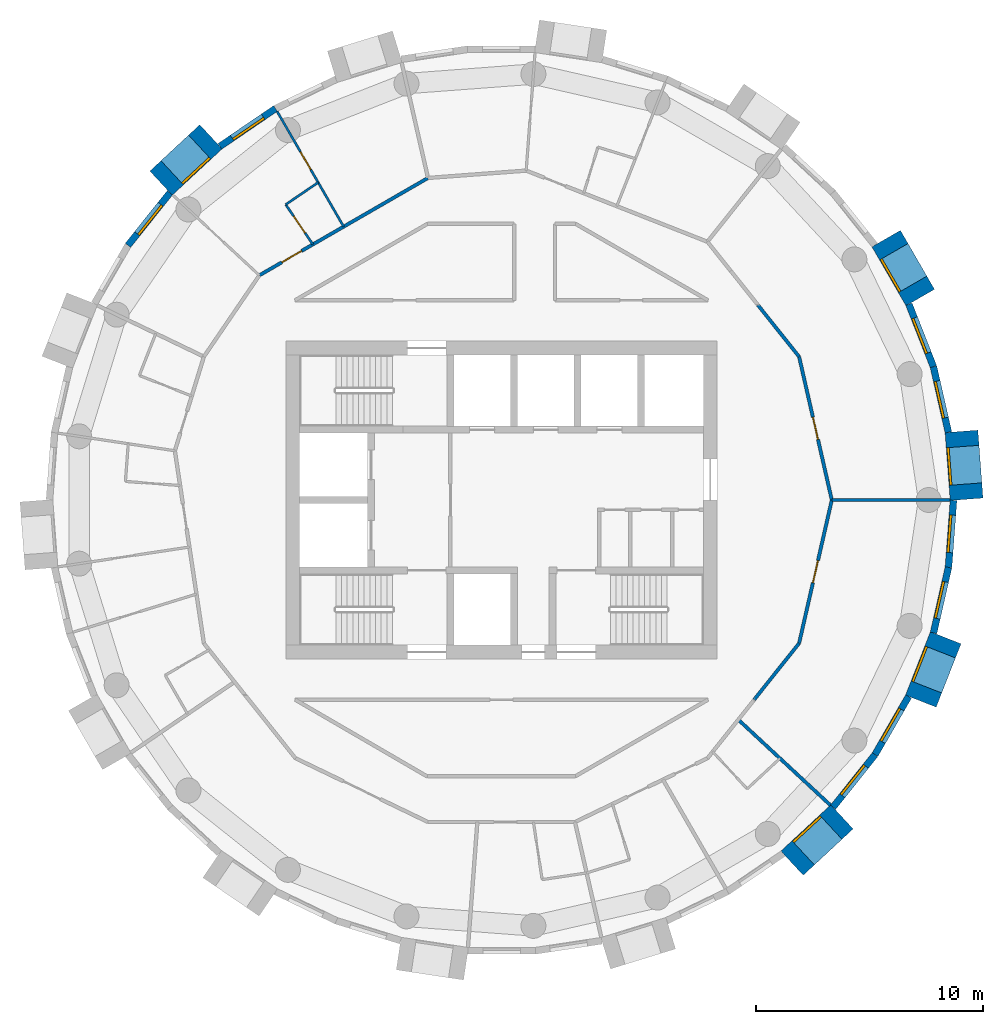
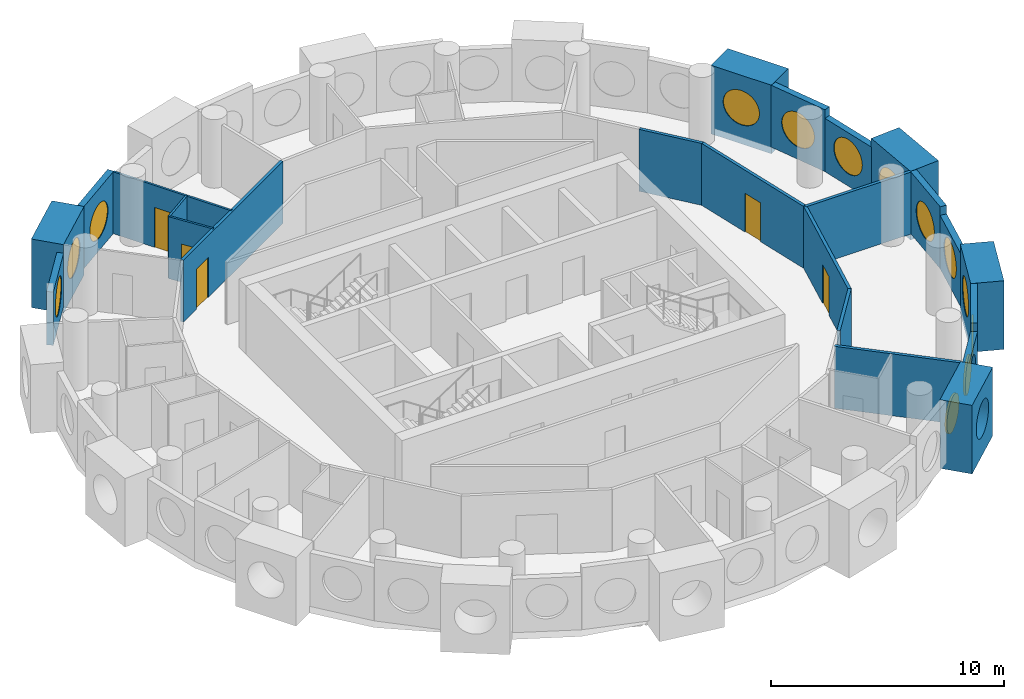
# One storey, part 8 of 11: 24 walls, 13 windows, 5 doors, 18 openings.
"""IFC4 building model written with IfcOpenShell, lengths in metres."""

import ifcopenshell
import ifcopenshell.guid

model = None  # the IFC model being written
_history = None  # IfcOwnerHistory: only IFC2X3 demands one
_inside = {}  # id of a spatial element -> (the spatial element, [elements in it])
_under = {}  # id of a project, library or spatial element -> (it, [spatial elements below it])
_declared = {}  # id of a project -> (the project, [libraries it declares])
_typed = {}  # id of a type object -> (the type object, [elements of that type])
_made_of = {}  # id of a material, layer set ... -> (it, [elements and type objects made of it])


def new_model(schema):
    """Start an empty IFC model of exactly this schema.

    Asked for "IFC4X3", IfcOpenShell would pick the latest addendum, in which some entities
    have other attributes; the version numbers below select the first issue.
    IFC2X3 requires an IfcOwnerHistory on every rooted entity: one is made here for all.
    """
    global model, _history
    if schema == "IFC4X3":
        model = ifcopenshell.file(schema_version=(4, 3, 0, 0))
    else:
        model = ifcopenshell.file(schema=schema)
    _inside.clear()
    _under.clear()
    _declared.clear()
    _typed.clear()
    _made_of.clear()
    _history = None
    if model.schema == "IFC2X3":
        org = make("IfcOrganization", Name="unknown")
        user = make(
            "IfcPersonAndOrganization",
            ThePerson=make("IfcPerson", FamilyName="unknown"),
            TheOrganization=org,
        )
        app = make(
            "IfcApplication",
            ApplicationDeveloper=org,
            Version="unknown",
            ApplicationFullName="unknown",
            ApplicationIdentifier="unknown",
        )
        _history = make(
            "IfcOwnerHistory",
            OwningUser=user,
            OwningApplication=app,
            ChangeAction="ADDED",
            CreationDate=0,
        )
    return model


def make(cls, **values):
    """One entity of the class cls with the attributes given. An attribute that is None is left unset."""
    return model.create_entity(
        cls, **{name: value for name, value in values.items() if value is not None}
    )


def rooted(cls, **values):
    """An entity with a GlobalId (a new one), such as an element, a storey or a relation."""
    return make(cls, GlobalId=ifcopenshell.guid.new(), OwnerHistory=_history, **values)


def si_unit(unit_type, name, prefix=None):
    """IfcSIUnit, for example si_unit("LENGTHUNIT", "METRE", prefix="MILLI")."""
    return make("IfcSIUnit", UnitType=unit_type, Prefix=prefix, Name=name)


def assignment(units):
    """IfcUnitAssignment: the units of a project."""
    return None if units is None else make("IfcUnitAssignment", Units=units)


def point(xyz):
    """IfcCartesianPoint."""
    return None if xyz is None else make("IfcCartesianPoint", Coordinates=xyz)


def direction(xyz):
    """IfcDirection."""
    return None if xyz is None else make("IfcDirection", DirectionRatios=xyz)


def frame(location, z_axis=None, x_axis=None):
    """IfcAxis2Placement3D, a coordinate frame: its origin and axes. An axis left out is left unset."""
    return make(
        "IfcAxis2Placement3D",
        Location=point(location),
        Axis=direction(z_axis),
        RefDirection=direction(x_axis),
    )


def frame_2d(location, x_axis=None):
    """IfcAxis2Placement2D, a coordinate frame in the plane: its origin and x axis."""
    return make(
        "IfcAxis2Placement2D", Location=point(location), RefDirection=direction(x_axis)
    )


def origin():
    """The frame at (0, 0, 0) with its axes left unset."""
    return frame((0.0, 0.0, 0.0))


def origin_2d():
    """The frame at (0, 0) in the plane with its x axis left unset."""
    return frame_2d((0.0, 0.0))


def place(relative_to, where):
    """IfcLocalPlacement: puts the frame where relative to a parent placement (None: the world)."""
    return make(
        "IfcLocalPlacement", PlacementRelTo=relative_to, RelativePlacement=where
    )


def context(
    kind, dimensions, precision=None, world=None, true_north=None, identifier=None
):
    """IfcGeometricRepresentationContext, for example the 3D "Model" context."""
    return make(
        "IfcGeometricRepresentationContext",
        ContextIdentifier=identifier,
        ContextType=kind,
        CoordinateSpaceDimension=dimensions,
        Precision=precision,
        WorldCoordinateSystem=world,
        TrueNorth=true_north,
    )


def subcontext(parent, identifier, kind, view, scale=None):
    """IfcGeometricRepresentationSubContext, for example "Body" below "Model"."""
    return make(
        "IfcGeometricRepresentationSubContext",
        ContextIdentifier=identifier,
        ContextType=kind,
        ParentContext=parent,
        TargetScale=scale,
        TargetView=view,
    )


def project(units=None, contexts=None):
    """IfcProject with its units and contexts."""
    return rooted(
        "IfcProject",
        Name="project",
        RepresentationContexts=contexts,
        UnitsInContext=assignment(units),
    )


def spatial(cls, under=None, at=None, **own):
    """A site, building, storey or space (cls), placed at a placement, below another one or the project."""
    s = rooted(cls, ObjectPlacement=at, **own)
    if under is not None:
        _under.setdefault(under.id(), (under, []))[1].append(s)
    return s


def profile(cls, at=None, kind="AREA", **sizes):
    """A parametric profile (cls). Its sizes go by their IFC names, for example OverallWidth=200.0."""
    return make(cls, ProfileType=kind, Position=at, **sizes)


def rectangle(**sizes):
    """IfcRectangleProfileDef."""
    return profile("IfcRectangleProfileDef", **sizes)


def circle(**sizes):
    """IfcCircleProfileDef."""
    return profile("IfcCircleProfileDef", **sizes)


def extrude(swept, where, along, depth):
    """IfcExtrudedAreaSolid: the profile swept, set in the frame where, extruded along a direction by depth."""
    return make(
        "IfcExtrudedAreaSolid",
        SweptArea=swept,
        Position=where,
        ExtrudedDirection=direction(along),
        Depth=depth,
    )


def shape(context_of_items, identifier, shape_type, items):
    """IfcShapeRepresentation: the items that make up one representation, for example the "Body"."""
    return make(
        "IfcShapeRepresentation",
        ContextOfItems=context_of_items,
        RepresentationIdentifier=identifier,
        RepresentationType=shape_type,
        Items=items,
    )


def material(Name=None, Category=None):
    """IfcMaterial."""
    return make("IfcMaterial", Name=Name, Category=Category)


def layer(
    of_material, thickness, ventilated=None, Name=None, Category=None, Priority=None
):
    """IfcMaterialLayer: one layer of a wall or slab, of a material (None: an air gap)."""
    return make(
        "IfcMaterialLayer",
        Material=of_material,
        LayerThickness=thickness,
        IsVentilated=ventilated,
        Name=Name,
        Category=Category,
        Priority=Priority,
    )


def layer_set(layers, Name=None):
    """IfcMaterialLayerSet."""
    return make("IfcMaterialLayerSet", MaterialLayers=layers, LayerSetName=Name)


def made_of(thing, what):
    """Note that an element or type object is made of a material, layer set ...; save() writes the relation."""
    if what is not None:
        _made_of.setdefault(what.id(), (what, []))[1].append(thing)
    return thing


def type_object(cls, material=None, **own):
    """A type object (cls), such as IfcWallType, which elements share."""
    return made_of(rooted(cls, **own), material)


def element(
    cls,
    number,
    at=None,
    inside=None,
    cuts=None,
    type_object=None,
    material=None,
    context=None,
    identifier="Body",
    shape_type=None,
    held_by="IfcProductDefinitionShape",
    body=None,
    shapes=None,
    **own,
):
    """One element of the class cls, such as IfcWall. Its Tag is "e" and its number.

    at: its placement. inside: the storey or other place that contains it. cuts: it is an
    opening in that element (IfcRelVoidsElement). A single representation is given by context,
    identifier, shape_type and body (its items); several are given by shapes. held_by: the class
    of the entity that holds the representations. save() writes the other relations.
    """
    e = rooted(cls, Tag="e%d" % number, ObjectPlacement=at, **own)
    if body is not None:
        shapes = [shape(context, identifier, shape_type, body)]
    if shapes is not None:
        e.Representation = make(held_by, Representations=shapes)
    if inside is not None:
        _inside.setdefault(inside.id(), (inside, []))[1].append(e)
    if cuts is not None:
        rooted(
            "IfcRelVoidsElement", RelatingBuildingElement=cuts, RelatedOpeningElement=e
        )
    if type_object is not None:
        _typed.setdefault(type_object.id(), (type_object, []))[1].append(e)
    return made_of(e, material)


def fill(opening, filler):
    """IfcRelFillsElement: the door or window that sits in an opening."""
    return rooted(
        "IfcRelFillsElement",
        RelatingOpeningElement=opening,
        RelatedBuildingElement=filler,
    )


def aggregate(whole, parts):
    """IfcRelAggregates: a whole, such as a stair, and the parts it consists of."""
    return rooted("IfcRelAggregates", RelatingObject=whole, RelatedObjects=parts)


def save(model, path):
    """Write the relations noted so far, then the file.

    IfcRelAggregates (storeys below a building ...), IfcRelContainedInSpatialStructure (elements
    in a storey), IfcRelDefinesByType, IfcRelAssociatesMaterial and IfcRelDeclares: one each for
    every whole, place, type object, material and project.
    """
    for whole, parts in _under.values():
        aggregate(whole, parts)
    for where, things in _inside.values():
        rooted(
            "IfcRelContainedInSpatialStructure",
            RelatedElements=things,
            RelatingStructure=where,
        )
    for kind, things in _typed.values():
        rooted("IfcRelDefinesByType", RelatedObjects=things, RelatingType=kind)
    for what, things in _made_of.values():
        rooted("IfcRelAssociatesMaterial", RelatedObjects=things, RelatingMaterial=what)
    for by, libraries in _declared.values():
        rooted("IfcRelDeclares", RelatingContext=by, RelatedDefinitions=libraries)
    model.write(path)


model = new_model("IFC4")

# Units and contexts
model_context = context("Model", 3, precision=1e-05, world=origin(), true_north=direction((0.0, 1.0)))
body_context = subcontext(model_context, "Body", "Model", "MODEL_VIEW")
ifc_project = project(units=[si_unit("LENGTHUNIT", "METRE"), si_unit("AREAUNIT", "SQUARE_METRE"), si_unit("VOLUMEUNIT", "CUBIC_METRE"), si_unit("PLANEANGLEUNIT", "RADIAN"), si_unit("MASSUNIT", "GRAM", prefix="KILO")], contexts=[model_context])

# Site, building, storey
site_placement = place(None, origin())
site = spatial("IfcSite", under=ifc_project, at=site_placement, CompositionType="ELEMENT")
building_placement = place(site_placement, origin())
building = spatial("IfcBuilding", under=site, at=building_placement, Name="Tracery Tower", CompositionType="ELEMENT")
storey_placement = place(building_placement, frame((0.0, 0.0, 267.0)))
storey = spatial("IfcBuildingStorey", under=building, at=storey_placement, Name="L69", CompositionType="ELEMENT", Elevation=267.0)

# Wall, opening, window
ifc_material_1 = material(Name="Precast concrete C50/60", Category="concrete")
ifc_layer_1 = layer(ifc_material_1, 1.449951171875)
ifc_layer_set_1 = layer_set([ifc_layer_1], Name="Deep-set bay unit 3000 x 3600, slab edge 350")
wall_type_1 = type_object("IfcWallType", Name="Deep-set bay unit 3000 x 3600, slab edge 350", PredefinedType="ELEMENTEDWALL", material=ifc_layer_set_1)
wall_1_placement = place(storey_placement, frame((20.49609375, 0.03173828125, -0.35009765625), z_axis=(0.0, 0.0, 1.0), x_axis=(-0.074785902127, 0.997199613339, 0.0)))
wall_1 = element("IfcWall", 1, at=wall_1_placement, inside=storey, type_object=wall_type_1, Name="Deep-set bay unit 1 at L69", PredefinedType="ELEMENTEDWALL", context=body_context, shape_type="SweptSolid", body=[
    extrude(rectangle(XDim=3.0, YDim=1.449951171875, at=frame_2d((1.5, 0.0))), origin(), (0.0, 0.0, 1.0), 3.60009765625),
])
opening_1_placement = place(wall_1_placement, frame((1.5, 0.0, 1.89990234375)))
opening_1 = element("IfcOpeningElement", 2, at=opening_1_placement, cuts=wall_1, Name="Opening WN1", PredefinedType="OPENING", context=body_context, shape_type="SweptSolid", body=[
    extrude(circle(Radius=0.9000244140625, at=origin_2d()), frame((0.0, 0.73486328125, 0.0), z_axis=(0.0, -1.0, 0.0), x_axis=(1.0, 0.0, 0.0)), (0.0, 0.0, 1.0), 1.469970703125),
])
ifc_material_2 = material(Name="Aluminium frame with tinted double glazing", Category="aluminium")
window_type = type_object("IfcWindowType", Name="Round window 1800", PartitioningType="SINGLE_PANEL", PredefinedType="WINDOW", material=ifc_material_2)
window_1_placement = place(opening_1_placement, origin())
window_1 = element("IfcWindow", 3, at=window_1_placement, inside=storey, type_object=window_type, Name="Round window 1 at L69", OverallHeight=1.800048828125, OverallWidth=1.800048828125, PartitioningType="SINGLE_PANEL", PredefinedType="WINDOW", context=body_context, shape_type="SweptSolid", body=[
    extrude(circle(Radius=0.9000244140625, at=origin_2d()), frame((0.0, 0.69482421875, 0.0), z_axis=(0.0, -1.0, 0.0), x_axis=(1.0, 0.0, 0.0)), (0.0, 0.0, 1.0), 0.10009765625),
])
fill(opening_1, window_1)

wall_2_placement = place(storey_placement, frame((18.452392578125, 8.92138671875, -0.35009765625), z_axis=(0.0, 0.0, 1.0), x_axis=(-0.499990139034, 0.866031096941, 0.0)))
wall_2 = element("IfcWall", 4, at=wall_2_placement, inside=storey, type_object=wall_type_1, Name="Deep-set bay unit 4 at L69", PredefinedType="ELEMENTEDWALL", context=body_context, shape_type="SweptSolid", body=[
    extrude(rectangle(XDim=3.0, YDim=1.449951171875, at=frame_2d((1.5, 0.0))), origin(), (0.0, 0.0, 1.0), 3.60009765625),
])
opening_2_placement = place(wall_2_placement, frame((1.5, 0.0, 1.89990234375)))
opening_2 = element("IfcOpeningElement", 5, at=opening_2_placement, cuts=wall_2, Name="Opening WN1", PredefinedType="OPENING", context=body_context, shape_type="SweptSolid", body=[
    extrude(circle(Radius=0.9000244140625, at=origin_2d()), frame((0.0, 0.73486328125, 0.0), z_axis=(0.0, -1.0, 0.0), x_axis=(1.0, 0.0, 0.0)), (0.0, 0.0, 1.0), 1.469970703125),
])
window_2_placement = place(opening_2_placement, origin())
window_2 = element("IfcWindow", 6, at=window_2_placement, inside=storey, type_object=window_type, Name="Round window 4 at L69", OverallHeight=1.800048828125, OverallWidth=1.800048828125, PartitioningType="SINGLE_PANEL", PredefinedType="WINDOW", context=body_context, shape_type="SweptSolid", body=[
    extrude(circle(Radius=0.9000244140625, at=origin_2d()), frame((0.0, 0.69482421875, 0.0), z_axis=(0.0, -1.0, 0.0), x_axis=(1.0, 0.0, 0.0)), (0.0, 0.0, 1.0), 0.10009765625),
])
fill(opening_2, window_2)

wall_3_placement = place(storey_placement, frame((-12.803955078125, 16.004638671875, -0.35009765625), z_axis=(0.0, 0.0, 1.0), x_axis=(-0.733022439167, -0.680204457261, 0.0)))
wall_3 = element("IfcWall", 7, at=wall_3_placement, inside=storey, type_object=wall_type_1, Name="Deep-set bay unit 16 at L69", PredefinedType="ELEMENTEDWALL", context=body_context, shape_type="SweptSolid", body=[
    extrude(rectangle(XDim=2.999755859375, YDim=1.449951171875, at=frame_2d((1.5, 0.0))), origin(), (0.0, 0.0, 1.0), 3.60009765625),
])
opening_3_placement = place(wall_3_placement, frame((1.5, 0.0, 1.89990234375)))
opening_3 = element("IfcOpeningElement", 8, at=opening_3_placement, cuts=wall_3, Name="Opening WN1", PredefinedType="OPENING", context=body_context, shape_type="SweptSolid", body=[
    extrude(circle(Radius=0.9000244140625, at=origin_2d()), frame((0.0, 0.73486328125, 0.0), z_axis=(0.0, -1.0, 0.0), x_axis=(1.0, 0.0, 0.0)), (0.0, 0.0, 1.0), 1.469970703125),
])
window_3_placement = place(opening_3_placement, origin())
window_3 = element("IfcWindow", 9, at=window_3_placement, inside=storey, type_object=window_type, Name="Round window 16 at L69", OverallHeight=1.800048828125, OverallWidth=1.800048828125, PartitioningType="SINGLE_PANEL", PredefinedType="WINDOW", context=body_context, shape_type="SweptSolid", body=[
    extrude(circle(Radius=0.9000244140625, at=origin_2d()), frame((0.0, 0.69482421875, 0.0), z_axis=(0.0, -1.0, 0.0), x_axis=(1.0, 0.0, 0.0)), (0.0, 0.0, 1.0), 0.10009765625),
])
fill(opening_3, window_3)

wall_4_placement = place(storey_placement, frame((12.803955078125, -16.004638671875, -0.35009765625), z_axis=(0.0, 0.0, 1.0), x_axis=(0.733022439167, 0.680204457261, 0.0)))
wall_4 = element("IfcWall", 10, at=wall_4_placement, inside=storey, type_object=wall_type_1, Name="Deep-set bay unit 37 at L69", PredefinedType="ELEMENTEDWALL", context=body_context, shape_type="SweptSolid", body=[
    extrude(rectangle(XDim=2.999755859375, YDim=1.449951171875, at=frame_2d((1.5, 0.0))), origin(), (0.0, 0.0, 1.0), 3.60009765625),
])
opening_4_placement = place(wall_4_placement, frame((1.5, 0.0, 1.89990234375)))
opening_4 = element("IfcOpeningElement", 11, at=opening_4_placement, cuts=wall_4, Name="Opening WN1", PredefinedType="OPENING", context=body_context, shape_type="SweptSolid", body=[
    extrude(circle(Radius=0.9000244140625, at=origin_2d()), frame((0.0, 0.73486328125, 0.0), z_axis=(0.0, -1.0, 0.0), x_axis=(1.0, 0.0, 0.0)), (0.0, 0.0, 1.0), 1.469970703125),
])
window_4_placement = place(opening_4_placement, origin())
window_4 = element("IfcWindow", 12, at=window_4_placement, inside=storey, type_object=window_type, Name="Round window 37 at L69", OverallHeight=1.800048828125, OverallWidth=1.800048828125, PartitioningType="SINGLE_PANEL", PredefinedType="WINDOW", context=body_context, shape_type="SweptSolid", body=[
    extrude(circle(Radius=0.9000244140625, at=origin_2d()), frame((0.0, 0.69482421875, 0.0), z_axis=(0.0, -1.0, 0.0), x_axis=(1.0, 0.0, 0.0)), (0.0, 0.0, 1.0), 0.10009765625),
])
fill(opening_4, window_4)

wall_5_placement = place(storey_placement, frame((18.47998046875, -8.8642578125, -0.35009765625), z_axis=(0.0, 0.0, 1.0), x_axis=(0.36537792632, 0.93085926485, 0.0)))
wall_5 = element("IfcWall", 13, at=wall_5_placement, inside=storey, type_object=wall_type_1, Name="Deep-set bay unit 40 at L69", PredefinedType="ELEMENTEDWALL", context=body_context, shape_type="SweptSolid", body=[
    extrude(rectangle(XDim=3.000244140625, YDim=1.449951171875, at=frame_2d((1.5, 0.0))), origin(), (0.0, 0.0, 1.0), 3.60009765625),
])
opening_5_placement = place(wall_5_placement, frame((1.5, 0.0, 1.89990234375)))
opening_5 = element("IfcOpeningElement", 14, at=opening_5_placement, cuts=wall_5, Name="Opening WN1", PredefinedType="OPENING", context=body_context, shape_type="SweptSolid", body=[
    extrude(circle(Radius=0.9000244140625, at=origin_2d()), frame((0.0, 0.73486328125, 0.0), z_axis=(0.0, -1.0, 0.0), x_axis=(1.0, 0.0, 0.0)), (0.0, 0.0, 1.0), 1.469970703125),
])
window_5_placement = place(opening_5_placement, origin())
window_5 = element("IfcWindow", 15, at=window_5_placement, inside=storey, type_object=window_type, Name="Round window 40 at L69", OverallHeight=1.800048828125, OverallWidth=1.800048828125, PartitioningType="SINGLE_PANEL", PredefinedType="WINDOW", context=body_context, shape_type="SweptSolid", body=[
    extrude(circle(Radius=0.9000244140625, at=origin_2d()), frame((0.0, 0.69482421875, 0.0), z_axis=(0.0, -1.0, 0.0), x_axis=(1.0, 0.0, 0.0)), (0.0, 0.0, 1.0), 0.10009765625),
])
fill(opening_5, window_5)

ifc_material_3 = material(Name="Precast concrete C50/60", Category="concrete")
ifc_layer_2 = layer(ifc_material_3, 0.300048828125)
ifc_layer_set_2 = layer_set([ifc_layer_2], Name="Facade panel 3000 x 2800")
wall_type_2 = type_object("IfcWallType", Name="Facade panel 3000 x 2800", PredefinedType="SOLIDWALL", material=ifc_layer_set_2)
wall_6_placement = place(storey_placement, frame((19.69580078125, 2.984130859375, 0.0), z_axis=(0.0, 0.0, 1.0), x_axis=(-0.222529389789, 0.974925982155, 0.0)))
wall_6 = element("IfcWall", 16, at=wall_6_placement, inside=storey, type_object=wall_type_2, Name="Facade panel 2 at L69", PredefinedType="SOLIDWALL", context=body_context, shape_type="SweptSolid", body=[
    extrude(rectangle(XDim=2.962158203125, YDim=0.300048828125, at=frame_2d((1.48095703125, 0.0))), origin(), (0.0, 0.0, 1.0), 2.800048828125),
])
opening_6_placement = place(wall_6_placement, frame((1.48095703125, 0.0, 1.5498046875)))
opening_6 = element("IfcOpeningElement", 17, at=opening_6_placement, cuts=wall_6, Name="Opening WN1", PredefinedType="OPENING", context=body_context, shape_type="SweptSolid", body=[
    extrude(circle(Radius=0.9000244140625, at=origin_2d()), frame((0.0, 0.159912109375, 0.0), z_axis=(0.0, -1.0, 0.0), x_axis=(1.0, 0.0, 0.0)), (0.0, 0.0, 1.0), 0.320068359375),
])
window_6_placement = place(opening_6_placement, origin())
window_6 = element("IfcWindow", 18, at=window_6_placement, inside=storey, type_object=window_type, Name="Round window 2 at L69", OverallHeight=1.800048828125, OverallWidth=1.800048828125, PartitioningType="SINGLE_PANEL", PredefinedType="WINDOW", context=body_context, shape_type="SweptSolid", body=[
    extrude(circle(Radius=0.9000244140625, at=origin_2d()), frame((0.0, 0.1201171875, 0.0), z_axis=(0.0, -1.0, 0.0), x_axis=(1.0, 0.0, 0.0)), (0.0, 0.0, 1.0), 0.10009765625),
])
fill(opening_6, window_6)

wall_7_placement = place(storey_placement, frame((-14.61328125, 13.538330078125, 0.0), z_axis=(0.0, 0.0, 1.0), x_axis=(-0.623498236992, -0.781824755599, 0.0)))
wall_7 = element("IfcWall", 19, at=wall_7_placement, inside=storey, type_object=wall_type_2, Name="Facade panel 17 at L69", PredefinedType="SOLIDWALL", context=body_context, shape_type="SweptSolid", body=[
    extrude(rectangle(XDim=2.962158203125, YDim=0.300048828125, at=frame_2d((1.48095703125, 0.0))), origin(), (0.0, 0.0, 1.0), 2.800048828125),
])
opening_7_placement = place(wall_7_placement, frame((1.48095703125, 0.0, 1.5498046875)))
opening_7 = element("IfcOpeningElement", 20, at=opening_7_placement, cuts=wall_7, Name="Opening WN1", PredefinedType="OPENING", context=body_context, shape_type="SweptSolid", body=[
    extrude(circle(Radius=0.9000244140625, at=origin_2d()), frame((0.0, 0.159912109375, 0.0), z_axis=(0.0, -1.0, 0.0), x_axis=(1.0, 0.0, 0.0)), (0.0, 0.0, 1.0), 0.320068359375),
])
window_7_placement = place(opening_7_placement, origin())
window_7 = element("IfcWindow", 21, at=window_7_placement, inside=storey, type_object=window_type, Name="Round window 17 at L69", OverallHeight=1.800048828125, OverallWidth=1.800048828125, PartitioningType="SINGLE_PANEL", PredefinedType="WINDOW", context=body_context, shape_type="SweptSolid", body=[
    extrude(circle(Radius=0.9000244140625, at=origin_2d()), frame((0.0, 0.1201171875, 0.0), z_axis=(0.0, -1.0, 0.0), x_axis=(1.0, 0.0, 0.0)), (0.0, 0.0, 1.0), 0.10009765625),
])
fill(opening_7, window_7)

wall_8_placement = place(storey_placement, frame((14.61328125, -13.538330078125, 0.0), z_axis=(0.0, 0.0, 1.0), x_axis=(0.623498236992, 0.781824755599, 0.0)))
wall_8 = element("IfcWall", 22, at=wall_8_placement, inside=storey, type_object=wall_type_2, Name="Facade panel 38 at L69", PredefinedType="SOLIDWALL", context=body_context, shape_type="SweptSolid", body=[
    extrude(rectangle(XDim=2.962158203125, YDim=0.300048828125, at=frame_2d((1.48095703125, 0.0))), origin(), (0.0, 0.0, 1.0), 2.800048828125),
])
opening_8_placement = place(wall_8_placement, frame((1.48095703125, 0.0, 1.5498046875)))
opening_8 = element("IfcOpeningElement", 23, at=opening_8_placement, cuts=wall_8, Name="Opening WN1", PredefinedType="OPENING", context=body_context, shape_type="SweptSolid", body=[
    extrude(circle(Radius=0.9000244140625, at=origin_2d()), frame((0.0, 0.159912109375, 0.0), z_axis=(0.0, -1.0, 0.0), x_axis=(1.0, 0.0, 0.0)), (0.0, 0.0, 1.0), 0.320068359375),
])
window_8_placement = place(opening_8_placement, origin())
window_8 = element("IfcWindow", 24, at=window_8_placement, inside=storey, type_object=window_type, Name="Round window 38 at L69", OverallHeight=1.800048828125, OverallWidth=1.800048828125, PartitioningType="SINGLE_PANEL", PredefinedType="WINDOW", context=body_context, shape_type="SweptSolid", body=[
    extrude(circle(Radius=0.9000244140625, at=origin_2d()), frame((0.0, 0.1201171875, 0.0), z_axis=(0.0, -1.0, 0.0), x_axis=(1.0, 0.0, 0.0)), (0.0, 0.0, 1.0), 0.10009765625),
])
fill(opening_8, window_8)

wall_9_placement = place(storey_placement, frame((19.0400390625, -5.857177734375, 0.0), z_axis=(0.0, 0.0, 1.0), x_axis=(0.222529389789, 0.974925982155, 0.0)))
wall_9 = element("IfcWall", 25, at=wall_9_placement, inside=storey, type_object=wall_type_2, Name="Facade panel 41 at L69", PredefinedType="SOLIDWALL", context=body_context, shape_type="SweptSolid", body=[
    extrude(rectangle(XDim=2.962158203125, YDim=0.300048828125, at=frame_2d((1.48095703125, 0.0))), origin(), (0.0, 0.0, 1.0), 2.800048828125),
])
opening_9_placement = place(wall_9_placement, frame((1.48095703125, 0.0, 1.5498046875)))
opening_9 = element("IfcOpeningElement", 26, at=opening_9_placement, cuts=wall_9, Name="Opening WN1", PredefinedType="OPENING", context=body_context, shape_type="SweptSolid", body=[
    extrude(circle(Radius=0.9000244140625, at=origin_2d()), frame((0.0, 0.159912109375, 0.0), z_axis=(0.0, -1.0, 0.0), x_axis=(1.0, 0.0, 0.0)), (0.0, 0.0, 1.0), 0.320068359375),
])
window_9_placement = place(opening_9_placement, origin())
window_9 = element("IfcWindow", 27, at=window_9_placement, inside=storey, type_object=window_type, Name="Round window 41 at L69", OverallHeight=1.800048828125, OverallWidth=1.800048828125, PartitioningType="SINGLE_PANEL", PredefinedType="WINDOW", context=body_context, shape_type="SweptSolid", body=[
    extrude(circle(Radius=0.9000244140625, at=origin_2d()), frame((0.0, 0.1201171875, 0.0), z_axis=(0.0, -1.0, 0.0), x_axis=(1.0, 0.0, 0.0)), (0.0, 0.0, 1.0), 0.10009765625),
])
fill(opening_9, window_9)

ifc_material_4 = material(Name="Precast concrete C50/60", Category="concrete")
ifc_layer_3 = layer(ifc_material_4, 0.300048828125)
ifc_layer_set_3 = layer_set([ifc_layer_3], Name="Facade panel 3000 x 3250")
wall_type_3 = type_object("IfcWallType", Name="Facade panel 3000 x 3250", PredefinedType="SOLIDWALL", material=ifc_layer_set_3)
wall_10_placement = place(storey_placement, frame((19.03662109375, 5.8720703125, 0.0), z_axis=(0.0, 0.0, 1.0), x_axis=(-0.36530043032, 0.930889679612, 0.0)))
wall_10 = element("IfcWall", 28, at=wall_10_placement, inside=storey, type_object=wall_type_3, Name="Facade panel 3 at L69", PredefinedType="SOLIDWALL", context=body_context, shape_type="SweptSolid", body=[
    extrude(rectangle(XDim=2.9619140625, YDim=0.300048828125, at=frame_2d((1.48095703125, 0.0))), origin(), (0.0, 0.0, 1.0), 3.25),
])
opening_10_placement = place(wall_10_placement, frame((1.48095703125, 0.0, 1.5498046875)))
opening_10 = element("IfcOpeningElement", 29, at=opening_10_placement, cuts=wall_10, Name="Opening WN1", PredefinedType="OPENING", context=body_context, shape_type="SweptSolid", body=[
    extrude(circle(Radius=0.9000244140625, at=origin_2d()), frame((0.0, 0.159912109375, 0.0), z_axis=(0.0, -1.0, 0.0), x_axis=(1.0, 0.0, 0.0)), (0.0, 0.0, 1.0), 0.320068359375),
])
window_10_placement = place(opening_10_placement, origin())
window_10 = element("IfcWindow", 30, at=window_10_placement, inside=storey, type_object=window_type, Name="Round window 3 at L69", OverallHeight=1.800048828125, OverallWidth=1.800048828125, PartitioningType="SINGLE_PANEL", PredefinedType="WINDOW", context=body_context, shape_type="SweptSolid", body=[
    extrude(circle(Radius=0.9000244140625, at=origin_2d()), frame((0.0, 0.1201171875, 0.0), z_axis=(0.0, -1.0, 0.0), x_axis=(1.0, 0.0, 0.0)), (0.0, 0.0, 1.0), 0.10009765625),
])
fill(opening_10, window_10)

wall_11_placement = place(storey_placement, frame((-9.9609375, 17.252685546875, 0.0), z_axis=(0.0, 0.0, 1.0), x_axis=(-0.826236061068, -0.563324037646, 0.0)))
wall_11 = element("IfcWall", 31, at=wall_11_placement, inside=storey, type_object=wall_type_3, Name="Facade panel 15 at L69", PredefinedType="SOLIDWALL", context=body_context, shape_type="SweptSolid", body=[
    extrude(rectangle(XDim=2.962158203125, YDim=0.300048828125, at=frame_2d((1.48095703125, 0.0))), origin(), (0.0, 0.0, 1.0), 3.25),
])
opening_11_placement = place(wall_11_placement, frame((1.48095703125, 0.0, 1.5498046875)))
opening_11 = element("IfcOpeningElement", 32, at=opening_11_placement, cuts=wall_11, Name="Opening WN1", PredefinedType="OPENING", context=body_context, shape_type="SweptSolid", body=[
    extrude(circle(Radius=0.9000244140625, at=origin_2d()), frame((0.0, 0.159912109375, 0.0), z_axis=(0.0, -1.0, 0.0), x_axis=(1.0, 0.0, 0.0)), (0.0, 0.0, 1.0), 0.320068359375),
])
window_11_placement = place(opening_11_placement, origin())
window_11 = element("IfcWindow", 33, at=window_11_placement, inside=storey, type_object=window_type, Name="Round window 15 at L69", OverallHeight=1.800048828125, OverallWidth=1.800048828125, PartitioningType="SINGLE_PANEL", PredefinedType="WINDOW", context=body_context, shape_type="SweptSolid", body=[
    extrude(circle(Radius=0.9000244140625, at=origin_2d()), frame((0.0, 0.1201171875, 0.0), z_axis=(0.0, -1.0, 0.0), x_axis=(1.0, 0.0, 0.0)), (0.0, 0.0, 1.0), 0.10009765625),
])
fill(opening_11, window_11)

wall_12_placement = place(storey_placement, frame((16.460205078125, -11.222412109375, 0.0), z_axis=(0.0, 0.0, 1.0), x_axis=(0.499950756475, 0.86605383268, 0.0)))
wall_12 = element("IfcWall", 34, at=wall_12_placement, inside=storey, type_object=wall_type_3, Name="Facade panel 39 at L69", PredefinedType="SOLIDWALL", context=body_context, shape_type="SweptSolid", body=[
    extrude(rectangle(XDim=2.962158203125, YDim=0.300048828125, at=frame_2d((1.48095703125, 0.0))), origin(), (0.0, 0.0, 1.0), 3.25),
])
opening_12_placement = place(wall_12_placement, frame((1.48095703125, 0.0, 1.5498046875)))
opening_12 = element("IfcOpeningElement", 35, at=opening_12_placement, cuts=wall_12, Name="Opening WN1", PredefinedType="OPENING", context=body_context, shape_type="SweptSolid", body=[
    extrude(circle(Radius=0.9000244140625, at=origin_2d()), frame((0.0, 0.159912109375, 0.0), z_axis=(0.0, -1.0, 0.0), x_axis=(1.0, 0.0, 0.0)), (0.0, 0.0, 1.0), 0.320068359375),
])
window_12_placement = place(opening_12_placement, origin())
window_12 = element("IfcWindow", 36, at=window_12_placement, inside=storey, type_object=window_type, Name="Round window 39 at L69", OverallHeight=1.800048828125, OverallWidth=1.800048828125, PartitioningType="SINGLE_PANEL", PredefinedType="WINDOW", context=body_context, shape_type="SweptSolid", body=[
    extrude(circle(Radius=0.9000244140625, at=origin_2d()), frame((0.0, 0.1201171875, 0.0), z_axis=(0.0, -1.0, 0.0), x_axis=(1.0, 0.0, 0.0)), (0.0, 0.0, 1.0), 0.10009765625),
])
fill(opening_12, window_12)

wall_13_placement = place(storey_placement, frame((19.69921875, -2.96923828125, 0.0), z_axis=(0.0, 0.0, 1.0), x_axis=(0.07474897196, 0.997202382263, 0.0)))
wall_13 = element("IfcWall", 37, at=wall_13_placement, inside=storey, type_object=wall_type_3, Name="Facade panel 42 at L69", PredefinedType="SOLIDWALL", context=body_context, shape_type="SweptSolid", body=[
    extrude(rectangle(XDim=2.96240234375, YDim=0.300048828125, at=frame_2d((1.481201171875, 0.0))), origin(), (0.0, 0.0, 1.0), 3.25),
])
opening_13_placement = place(wall_13_placement, frame((1.48095703125, 0.0, 1.5498046875)))
opening_13 = element("IfcOpeningElement", 38, at=opening_13_placement, cuts=wall_13, Name="Opening WN1", PredefinedType="OPENING", context=body_context, shape_type="SweptSolid", body=[
    extrude(circle(Radius=0.9000244140625, at=origin_2d()), frame((0.0, 0.159912109375, 0.0), z_axis=(0.0, -1.0, 0.0), x_axis=(1.0, 0.0, 0.0)), (0.0, 0.0, 1.0), 0.320068359375),
])
window_13_placement = place(opening_13_placement, origin())
window_13 = element("IfcWindow", 39, at=window_13_placement, inside=storey, type_object=window_type, Name="Round window 42 at L69", OverallHeight=1.800048828125, OverallWidth=1.800048828125, PartitioningType="SINGLE_PANEL", PredefinedType="WINDOW", context=body_context, shape_type="SweptSolid", body=[
    extrude(circle(Radius=0.9000244140625, at=origin_2d()), frame((0.0, 0.1201171875, 0.0), z_axis=(0.0, -1.0, 0.0), x_axis=(1.0, 0.0, 0.0)), (0.0, 0.0, 1.0), 0.10009765625),
])
fill(opening_13, window_13)

# Wall, opening, door
ifc_material_5 = material(Name="Plasterboard on steel studs", Category="steel")
ifc_layer_4 = layer(ifc_material_5, 0.10009765625)
ifc_layer_set_4 = layer_set([ifc_layer_4], Name="Partition 100 stud")
wall_type_4 = type_object("IfcWallType", Name="Partition 100 stud", PredefinedType="PARTITIONING", material=ifc_layer_set_4)
wall_14_placement = place(storey_placement, frame((-9.885986328125, 17.1220703125, 0.0), z_axis=(0.0, 0.0, 1.0), x_axis=(0.500172881213, -0.865925567759, 0.0)))
wall_14 = element("IfcWall", 40, at=wall_14_placement, inside=storey, type_object=wall_type_4, Name="Stud partition RC4-047", PredefinedType="PARTITIONING", context=body_context, shape_type="SweptSolid", body=[
    extrude(rectangle(XDim=3.612548828125, YDim=0.10009765625, at=frame_2d((1.80615234375, 0.0))), origin(), (0.0, 0.0, 1.0), 3.25),
])
opening_14_placement = place(wall_14_placement, frame((2.055908203125, 0.0, 0.0)))
opening_14 = element("IfcOpeningElement", 41, at=opening_14_placement, cuts=wall_14, Name="Opening RC4-09", PredefinedType="OPENING", context=body_context, shape_type="SweptSolid", body=[
    extrude(rectangle(XDim=0.89990234375, YDim=2.10009765625, at=frame_2d((0.449951171875, 1.050048828125))), frame((0.0, 0.050048828125, 0.0), z_axis=(0.0, -1.0, 0.0), x_axis=(1.0, 0.0, 0.0)), (0.0, 0.0, 1.0), 0.10009765625),
])
ifc_material_6 = material(Name="Timber door leaf", Category="wood")
door_type_1 = type_object("IfcDoorType", Name="Door bedroom 900", OperationType="NOTDEFINED", PredefinedType="DOOR", material=ifc_material_6)
door_1_placement = place(opening_14_placement, origin())
door_1 = element("IfcDoor", 42, at=door_1_placement, inside=storey, type_object=door_type_1, Name="Bedroom door RC4-09", OperationType="SINGLE_SWING_RIGHT", OverallHeight=2.10009765625, OverallWidth=0.89990234375, PredefinedType="DOOR", context=body_context, shape_type="SweptSolid", body=[
    extrude(rectangle(XDim=0.89990234375, YDim=2.10009765625, at=frame_2d((0.449951171875, 1.050048828125))), frame((0.0, 0.02490234375, 0.0), z_axis=(0.0, -1.0, 0.0), x_axis=(1.0, 0.0, 0.0)), (0.0, 0.0, 1.0), 0.050048828125),
])
fill(opening_14, door_1)

# Wall
ifc_material_7 = material(Name="Plasterboard on steel studs", Category="steel")
ifc_layer_5 = layer(ifc_material_7, 0.10009765625)
ifc_layer_set_5 = layer_set([ifc_layer_5], Name="Partition 100 wet wall")
wall_type_5 = type_object("IfcWallType", Name="Partition 100 wet wall", PredefinedType="PARTITIONING", material=ifc_layer_set_5)
wall_15_placement = place(storey_placement, frame((-9.509033203125, 13.01904296875, 0.0), z_axis=(0.0, 0.0, 1.0), x_axis=(0.826254203104, 0.563297427522, 0.0)))
element("IfcWall", 43, at=wall_15_placement, inside=storey, type_object=wall_type_5, Name="Wet wall RC4-049", PredefinedType="PARTITIONING", context=body_context, shape_type="SweptSolid", body=[
    extrude(rectangle(XDim=1.730712890625, YDim=0.10009765625, at=frame_2d((0.865234375, 0.0))), origin(), (0.0, 0.0, 1.0), 3.25),
])

# Wall, opening, door
wall_16_placement = place(storey_placement, frame((-9.509033203125, 13.01904296875, 0.0), z_axis=(0.0, 0.0, 1.0), x_axis=(0.563233448692, -0.826297816937, 0.0)))
wall_16 = element("IfcWall", 44, at=wall_16_placement, inside=storey, type_object=wall_type_5, Name="Wet wall RC4-050", PredefinedType="PARTITIONING", context=body_context, shape_type="SweptSolid", body=[
    extrude(rectangle(XDim=2.125244140625, YDim=0.10009765625, at=frame_2d((1.0625, 0.0))), origin(), (0.0, 0.0, 1.0), 3.25),
])
opening_15_placement = place(wall_16_placement, frame((0.613037109375, 0.0, 0.0)))
opening_15 = element("IfcOpeningElement", 45, at=opening_15_placement, cuts=wall_16, Name="Opening RC4-11", PredefinedType="OPENING", context=body_context, shape_type="SweptSolid", body=[
    extrude(rectangle(XDim=0.89990234375, YDim=2.0, at=frame_2d((0.449951171875, 1.0))), frame((0.0, 0.050048828125, 0.0), z_axis=(0.0, -1.0, 0.0), x_axis=(1.0, 0.0, 0.0)), (0.0, 0.0, 1.0), 0.10009765625),
])
ifc_material_8 = material(Name="Timber door leaf", Category="wood")
door_type_2 = type_object("IfcDoorType", Name="Door shower room 900", OperationType="NOTDEFINED", PredefinedType="DOOR", material=ifc_material_8)
door_2_placement = place(opening_15_placement, origin())
door_2 = element("IfcDoor", 46, at=door_2_placement, inside=storey, type_object=door_type_2, Name="Shower room door RC4-11", OperationType="SINGLE_SWING_RIGHT", OverallHeight=2.0, OverallWidth=0.89990234375, PredefinedType="DOOR", context=body_context, shape_type="SweptSolid", body=[
    extrude(rectangle(XDim=0.89990234375, YDim=2.0, at=frame_2d((0.449951171875, 1.0))), frame((0.0, 0.02490234375, 0.0), z_axis=(0.0, -1.0, 0.0), x_axis=(1.0, 0.0, 0.0)), (0.0, 0.0, 1.0), 0.050048828125),
])
fill(opening_15, door_2)

# Walls
wall_17_placement = place(storey_placement, frame((-8.0810546875, 13.9970703125, 0.0), z_axis=(0.0, 0.0, 1.0), x_axis=(0.49982252503, -0.866127844762, 0.0)))
element("IfcWall", 47, at=wall_17_placement, inside=storey, type_object=wall_type_5, Name="Wet wall RC4-051", PredefinedType="PARTITIONING", context=body_context, shape_type="SweptSolid", body=[
    extrude(rectangle(XDim=2.252685546875, YDim=0.10009765625, at=frame_2d((1.12646484375, 0.0))), origin(), (0.0, 0.0, 1.0), 3.25),
])
ifc_material_9 = material(Name="Plasterboard on steel studs", Category="steel")
ifc_layer_6 = layer(ifc_material_9, 0.14990234375)
ifc_layer_set_6 = layer_set([ifc_layer_6], Name="Partition 150 acoustic unit wall")
wall_type_6 = type_object("IfcWallType", Name="Partition 150 acoustic unit wall", PredefinedType="PARTITIONING", material=ifc_layer_set_6)
wall_18_placement = place(storey_placement, frame((14.556884765625, 0.0, 0.0), z_axis=(0.0, 0.0, 1.0), x_axis=(1.0, 0.0, 0.0)))
element("IfcWall", 48, at=wall_18_placement, inside=storey, type_object=wall_type_6, Name="Unit wall RC4-040", PredefinedType="PARTITIONING", context=body_context, shape_type="SweptSolid", body=[
    extrude(rectangle(XDim=5.214111328125, YDim=0.14990234375, at=frame_2d((2.60693359375, 0.0))), origin(), (0.0, 0.0, 1.0), 3.25),
])
wall_19_placement = place(storey_placement, frame((10.43359375, -9.67919921875, 0.0), z_axis=(0.0, 0.0, 1.0), x_axis=(0.732845293448, -0.680395308531, 0.0)))
element("IfcWall", 49, at=wall_19_placement, inside=storey, type_object=wall_type_6, Name="Unit wall RC4-073", PredefinedType="PARTITIONING", context=body_context, shape_type="SweptSolid", body=[
    extrude(rectangle(XDim=5.5390625, YDim=0.14990234375, at=frame_2d((2.76953125, 0.0))), origin(), (0.0, 0.0, 1.0), 3.25),
])
ifc_material_10 = material(Name="Plasterboard on steel studs", Category="steel")
ifc_layer_7 = layer(ifc_material_10, 0.14990234375)
ifc_layer_set_7 = layer_set([ifc_layer_7], Name="Partition 150 corridor wall")
wall_type_7 = type_object("IfcWallType", Name="Partition 150 corridor wall", PredefinedType="PARTITIONING", material=ifc_layer_set_7)
wall_20_placement = place(storey_placement, frame((11.300048828125, 8.592041015625, 0.0), z_axis=(0.0, 0.0, 1.0), x_axis=(0.623446514299, -0.781866001185, 0.0)))
element("IfcWall", 50, at=wall_20_placement, inside=storey, type_object=wall_type_7, Name="Corridor wall RC4-016", PredefinedType="PARTITIONING", context=body_context, shape_type="SweptSolid", body=[
    extrude(rectangle(XDim=2.9111328125, YDim=0.14990234375, at=frame_2d((1.45556640625, 0.0))), origin(), (0.0, 0.0, 1.0), 3.25),
])

# Wall, opening, door
wall_21_placement = place(storey_placement, frame((13.114990234375, 6.31591796875, 0.0), z_axis=(0.0, 0.0, 1.0), x_axis=(0.222568978642, -0.97491694505, 0.0)))
wall_21 = element("IfcWall", 51, at=wall_21_placement, inside=storey, type_object=wall_type_7, Name="Corridor wall RC4-017", PredefinedType="PARTITIONING", context=body_context, shape_type="SweptSolid", body=[
    extrude(rectangle(XDim=6.478515625, YDim=0.14990234375, at=frame_2d((3.2392578125, 0.0))), origin(), (0.0, 0.0, 1.0), 3.25),
])
opening_16_placement = place(wall_21_placement, frame((2.739013671875, 0.0, 0.0)))
opening_16 = element("IfcOpeningElement", 52, at=opening_16_placement, cuts=wall_21, Name="Opening RC4-04", PredefinedType="OPENING", context=body_context, shape_type="SweptSolid", body=[
    extrude(rectangle(XDim=1.0, YDim=2.0400390625, at=frame_2d((0.5, 1.02001953125))), frame((0.0, 0.074951171875, 0.0), z_axis=(0.0, -1.0, 0.0), x_axis=(1.0, 0.0, 0.0)), (0.0, 0.0, 1.0), 0.14990234375),
])
ifc_material_11 = material(Name="Timber door leaf", Category="wood")
door_type_3 = type_object("IfcDoorType", Name="Door communal room 1000", OperationType="NOTDEFINED", PredefinedType="DOOR", material=ifc_material_11)
door_3_placement = place(opening_16_placement, origin())
door_3 = element("IfcDoor", 53, at=door_3_placement, inside=storey, type_object=door_type_3, Name="Communal room door RC4-04", OperationType="SINGLE_SWING_LEFT", OverallHeight=2.0400390625, OverallWidth=1.0, PredefinedType="DOOR", context=body_context, shape_type="SweptSolid", body=[
    extrude(rectangle(XDim=1.0, YDim=2.0400390625, at=frame_2d((0.5, 1.02001953125))), frame((0.0, 0.02490234375, 0.0), z_axis=(0.0, -1.0, 0.0), x_axis=(1.0, 0.0, 0.0)), (0.0, 0.0, 1.0), 0.050048828125),
])
fill(opening_16, door_3)

wall_22_placement = place(storey_placement, frame((13.114990234375, -6.31591796875, 0.0), z_axis=(0.0, 0.0, 1.0), x_axis=(0.222568978642, 0.97491694505, 0.0)))
wall_22 = element("IfcWall", 54, at=wall_22_placement, inside=storey, type_object=wall_type_7, Name="Corridor wall RC4-018", PredefinedType="PARTITIONING", context=body_context, shape_type="SweptSolid", body=[
    extrude(rectangle(XDim=6.478515625, YDim=0.14990234375, at=frame_2d((3.2392578125, 0.0))), origin(), (0.0, 0.0, 1.0), 3.25),
])
opening_17_placement = place(wall_22_placement, frame((2.739501953125, 0.0, 0.0)))
opening_17 = element("IfcOpeningElement", 55, at=opening_17_placement, cuts=wall_22, Name="Opening RC4-27", PredefinedType="OPENING", context=body_context, shape_type="SweptSolid", body=[
    extrude(rectangle(XDim=1.0, YDim=2.0400390625, at=frame_2d((0.5, 1.02001953125))), frame((0.0, 0.074951171875, 0.0), z_axis=(0.0, -1.0, 0.0), x_axis=(1.0, 0.0, 0.0)), (0.0, 0.0, 1.0), 0.14990234375),
])
door_4_placement = place(opening_17_placement, origin())
door_4 = element("IfcDoor", 56, at=door_4_placement, inside=storey, type_object=door_type_3, Name="Communal room door RC4-27", OperationType="SINGLE_SWING_LEFT", OverallHeight=2.0400390625, OverallWidth=1.0, PredefinedType="DOOR", context=body_context, shape_type="SweptSolid", body=[
    extrude(rectangle(XDim=1.0, YDim=2.0400390625, at=frame_2d((0.5, 1.02001953125))), frame((0.0, 0.02490234375, 0.0), z_axis=(0.0, -1.0, 0.0), x_axis=(1.0, 0.0, 0.0)), (0.0, 0.0, 1.0), 0.050048828125),
])
fill(opening_17, door_4)

# Wall
wall_23_placement = place(storey_placement, frame((11.134033203125, -8.800048828125, 0.0), z_axis=(0.0, 0.0, 1.0), x_axis=(0.623476099415, 0.781842409606, 0.0)))
element("IfcWall", 57, at=wall_23_placement, inside=storey, type_object=wall_type_7, Name="Corridor wall RC4-019", PredefinedType="PARTITIONING", context=body_context, shape_type="SweptSolid", body=[
    extrude(rectangle(XDim=3.17724609375, YDim=0.14990234375, at=frame_2d((1.588623046875, 0.0))), origin(), (0.0, 0.0, 1.0), 3.25),
])

# Wall, opening, door
wall_24_placement = place(storey_placement, frame((-10.671142578125, 9.901123046875, 0.0), z_axis=(0.0, 0.0, 1.0), x_axis=(0.866021669971, 0.500006467099, 0.0)))
wall_24 = element("IfcWall", 58, at=wall_24_placement, inside=storey, type_object=wall_type_7, Name="Corridor wall RC4-029", PredefinedType="PARTITIONING", context=body_context, shape_type="SweptSolid", body=[
    extrude(rectangle(XDim=8.58203125, YDim=0.14990234375, at=frame_2d((4.291015625, 0.0))), origin(), (0.0, 0.0, 1.0), 3.25),
])
opening_18_placement = place(wall_24_placement, frame((1.1455078125, 0.0, 0.0)))
opening_18 = element("IfcOpeningElement", 59, at=opening_18_placement, cuts=wall_24, Name="Opening RC4-12", PredefinedType="OPENING", context=body_context, shape_type="SweptSolid", body=[
    extrude(rectangle(XDim=1.0, YDim=2.10009765625, at=frame_2d((0.5, 1.050048828125))), frame((0.0, 0.074951171875, 0.0), z_axis=(0.0, -1.0, 0.0), x_axis=(1.0, 0.0, 0.0)), (0.0, 0.0, 1.0), 0.14990234375),
])
ifc_material_12 = material(Name="Timber door leaf", Category="wood")
door_type_4 = type_object("IfcDoorType", Name="Door unit entrance 1000", OperationType="NOTDEFINED", PredefinedType="DOOR", material=ifc_material_12)
door_5_placement = place(opening_18_placement, origin())
door_5 = element("IfcDoor", 60, at=door_5_placement, inside=storey, type_object=door_type_4, Name="Unit entrance door RC4-12", OperationType="SINGLE_SWING_RIGHT", OverallHeight=2.10009765625, OverallWidth=1.0, PredefinedType="DOOR", context=body_context, shape_type="SweptSolid", body=[
    extrude(rectangle(XDim=1.0, YDim=2.10009765625, at=frame_2d((0.5, 1.050048828125))), frame((0.0, 0.02490234375, 0.0), z_axis=(0.0, -1.0, 0.0), x_axis=(1.0, 0.0, 0.0)), (0.0, 0.0, 1.0), 0.050048828125),
])
fill(opening_18, door_5)

save(model, "model.ifc")
